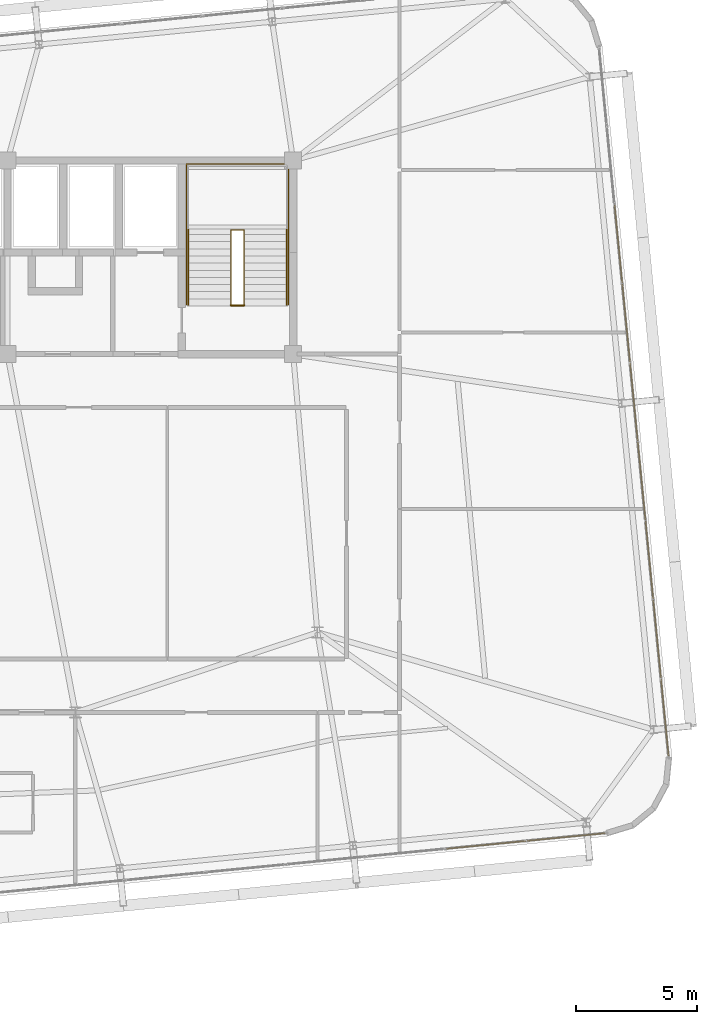
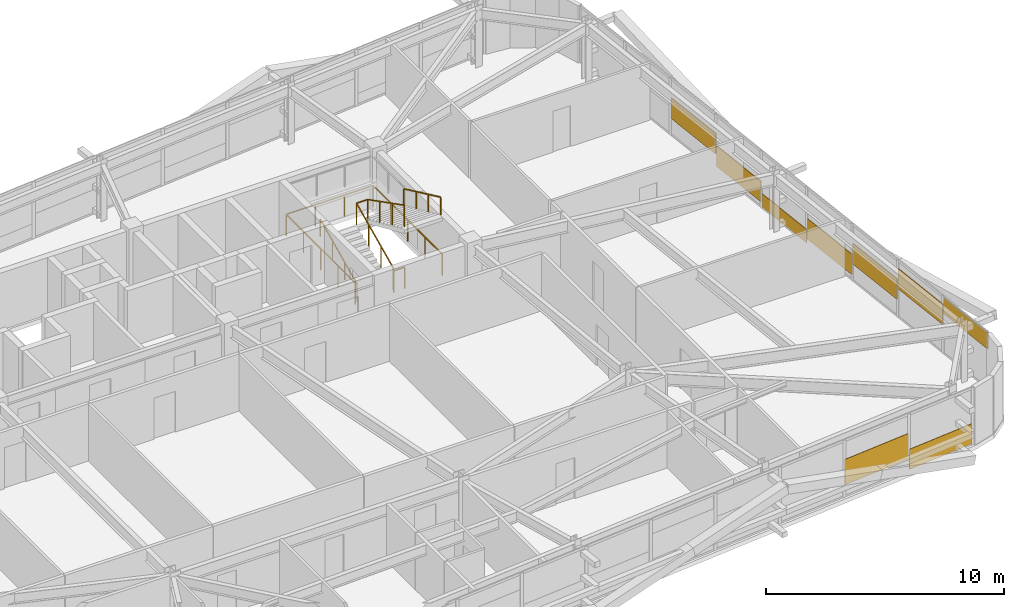
# One storey, part 51 of 52: 9 coverings, 5 railings.
"""IFC4 building model written with IfcOpenShell, lengths in metres."""

from ifc_helpers import new_model, si_unit, direction, frame, origin, origin_2d, place, context, subcontext, project, spatial, rectangle, extrude, source, transform, mapped, material, layer, layer_set, type_object, element, save


model = new_model("IFC4")

# Units and contexts
model_context = context("Model", 3, precision=1e-05, world=origin(), true_north=direction((0.0, 1.0)))
body_context = subcontext(model_context, "Body", "Model", "MODEL_VIEW")
ifc_project = project(units=[si_unit("LENGTHUNIT", "METRE"), si_unit("AREAUNIT", "SQUARE_METRE"), si_unit("VOLUMEUNIT", "CUBIC_METRE"), si_unit("PLANEANGLEUNIT", "RADIAN"), si_unit("MASSUNIT", "GRAM", prefix="KILO")], contexts=[model_context])

# Site, building, storey
site_placement = place(None, origin())
site = spatial("IfcSite", under=ifc_project, at=site_placement, CompositionType="ELEMENT")
building_placement = place(site_placement, origin())
building = spatial("IfcBuilding", under=site, at=building_placement, Name="Taldren Reach Tower", CompositionType="ELEMENT")
storey_placement = place(building_placement, frame((0.0, 0.0, 96.60009765625)))
storey = spatial("IfcBuildingStorey", under=building, at=storey_placement, Name="L29", CompositionType="ELEMENT", Elevation=96.60009765625)

# Railings
ifc_material_1 = material(Name="Steel Gr 350 (C350L0)", Category="steel")
ifc_layer_1 = layer(ifc_material_1, 0.050048828125)
ifc_layer_set_1 = layer_set([ifc_layer_1], Name="Steel Gr 350 (C350L0)")
railing_type_1 = type_object("IfcRailingType", Name="RL-STAIR-GR", PredefinedType="GUARDRAIL", material=ifc_layer_set_1)
railing_1_placement = place(storey_placement, frame((48.429931640625, 26.050048828125, 0.131103515625)))
element("IfcRailing", 1, at=railing_1_placement, inside=storey, type_object=railing_type_1, Name="Stairwell inner guard ST2-L29", PredefinedType="GUARDRAIL", context=body_context, shape_type="SweptSolid", body=[
    extrude(rectangle(XDim=0.047852, YDim=0.047852, at=origin_2d()), frame((0.0, 0.0, 1.09619140625), z_axis=(0.0, 0.905710134349, 0.423897573167), x_axis=(-1.0, 0.0, 0.0)), (0.0, 0.0, 1.0), 3.406005859375),
    extrude(rectangle(XDim=0.047852, YDim=0.047852, at=origin_2d()), frame((0.0, 3.0849609375, 2.5400390625), z_axis=(1.0, 0.0, 0.0), x_axis=(0.0, 1.0, 0.0)), (0.0, 0.0, 1.0), 0.5400390625),
    extrude(rectangle(XDim=0.047852, YDim=0.047852, at=origin_2d()), frame((0.5400390625, 3.0849609375, 2.5400390625), z_axis=(0.0, -0.890645957773, 0.45469745755), x_axis=(1.0, 0.0, 0.0)), (0.0, 0.0, 1.0), 3.463623046875),
    extrude(rectangle(XDim=0.041992, YDim=0.041992, at=origin_2d()), origin(), (0.0, 0.0, 1.0), 1.072021484375),
    extrude(rectangle(XDim=0.041992, YDim=0.041992, at=origin_2d()), frame((0.0, 1.0283203125, 0.481201171875)), (0.0, 0.0, 1.0), 1.072021484375),
    extrude(rectangle(XDim=0.041992, YDim=0.041992, at=origin_2d()), frame((0.0, 2.056640625, 0.962646484375)), (0.0, 0.0, 1.0), 1.072021484375),
    extrude(rectangle(XDim=0.041992, YDim=0.041992, at=origin_2d()), frame((0.0, 3.0849609375, 1.44384765625)), (0.0, 0.0, 1.0), 1.072021484375),
    extrude(rectangle(XDim=0.041992, YDim=0.041992, at=origin_2d()), frame((0.5400390625, 3.0849609375, 1.44384765625)), (0.0, 0.0, 1.0), 1.072021484375),
    extrude(rectangle(XDim=0.041992, YDim=0.041992, at=origin_2d()), frame((0.5400390625, 2.056640625, 1.96875)), (0.0, 0.0, 1.0), 1.072021484375),
    extrude(rectangle(XDim=0.041992, YDim=0.041992, at=origin_2d()), frame((0.5400390625, 1.0283203125, 2.493896484375)), (0.0, 0.0, 1.0), 1.072021484375),
    extrude(rectangle(XDim=0.041992, YDim=0.041992, at=origin_2d()), frame((0.5400390625, 0.0, 3.018798828125)), (0.0, 0.0, 1.0), 1.072021484375),
])
railing_2_placement = place(storey_placement, frame((48.429931640625, 26.010009765625, 0.0)))
element("IfcRailing", 2, at=railing_2_placement, inside=storey, type_object=railing_type_1, Name="Stairwell landing slot guard ST2-L29", PredefinedType="GUARDRAIL", context=body_context, shape_type="SweptSolid", body=[
    extrude(rectangle(XDim=0.047852, YDim=0.047852, at=origin_2d()), frame((0.0, 0.0, 1.09619140625), z_axis=(1.0, 0.0, 0.0), x_axis=(0.0, 1.0, 0.0)), (0.0, 0.0, 1.0), 0.5400390625),
    extrude(rectangle(XDim=0.041992, YDim=0.041992, at=origin_2d()), origin(), (0.0, 0.0, 1.0), 1.072021484375),
    extrude(rectangle(XDim=0.041992, YDim=0.041992, at=origin_2d()), frame((0.5400390625, 0.0, 0.0)), (0.0, 0.0, 1.0), 1.072021484375),
])
railing_3_placement = place(storey_placement, frame((46.590087890625, 26.050048828125, 0.0)))
element("IfcRailing", 3, at=railing_3_placement, inside=storey, type_object=railing_type_1, Name="Stairwell floor opening guard ST2-L29", PredefinedType="GUARDRAIL", context=body_context, shape_type="SweptSolid", body=[
    extrude(rectangle(XDim=0.047852, YDim=0.047852, at=origin_2d()), frame((0.0, 0.0, 1.09619140625), z_axis=(0.0, 1.0, 0.0), x_axis=(-1.0, 0.0, 0.0)), (0.0, 0.0, 1.0), 5.800048828125),
    extrude(rectangle(XDim=0.047852, YDim=0.047852, at=origin_2d()), frame((0.0, 5.800048828125, 1.09619140625), z_axis=(1.0, 0.0, 0.0), x_axis=(0.0, 1.0, 0.0)), (0.0, 0.0, 1.0), 4.219970703125),
    extrude(rectangle(XDim=0.047852, YDim=0.047852, at=origin_2d()), frame((4.219970703125, 5.800048828125, 1.09619140625), z_axis=(0.0, -1.0, 0.0), x_axis=(1.0, 0.0, 0.0)), (0.0, 0.0, 1.0), 5.800048828125),
    extrude(rectangle(XDim=0.041992, YDim=0.041992, at=origin_2d()), origin(), (0.0, 0.0, 1.0), 1.072021484375),
    extrude(rectangle(XDim=0.041992, YDim=0.041992, at=origin_2d()), frame((0.0, 1.449951171875, 0.0)), (0.0, 0.0, 1.0), 1.072021484375),
    extrude(rectangle(XDim=0.041992, YDim=0.041992, at=origin_2d()), frame((0.0, 2.89990234375, 0.0)), (0.0, 0.0, 1.0), 1.072021484375),
    extrude(rectangle(XDim=0.041992, YDim=0.041992, at=origin_2d()), frame((0.0, 4.35009765625, 0.0)), (0.0, 0.0, 1.0), 1.072021484375),
    extrude(rectangle(XDim=0.041992, YDim=0.041992, at=origin_2d()), frame((0.0, 5.800048828125, 0.0)), (0.0, 0.0, 1.0), 1.072021484375),
    extrude(rectangle(XDim=0.041992, YDim=0.041992, at=origin_2d()), frame((1.40673828125, 5.800048828125, 0.0)), (0.0, 0.0, 1.0), 1.072021484375),
    extrude(rectangle(XDim=0.041992, YDim=0.041992, at=origin_2d()), frame((2.813232421875, 5.800048828125, 0.0)), (0.0, 0.0, 1.0), 1.072021484375),
    extrude(rectangle(XDim=0.041992, YDim=0.041992, at=origin_2d()), frame((4.219970703125, 5.800048828125, 0.0)), (0.0, 0.0, 1.0), 1.072021484375),
    extrude(rectangle(XDim=0.041992, YDim=0.041992, at=origin_2d()), frame((4.219970703125, 4.35009765625, 0.0)), (0.0, 0.0, 1.0), 1.072021484375),
    extrude(rectangle(XDim=0.041992, YDim=0.041992, at=origin_2d()), frame((4.219970703125, 2.89990234375, 0.0)), (0.0, 0.0, 1.0), 1.072021484375),
    extrude(rectangle(XDim=0.041992, YDim=0.041992, at=origin_2d()), frame((4.219970703125, 1.449951171875, 0.0)), (0.0, 0.0, 1.0), 1.072021484375),
    extrude(rectangle(XDim=0.041992, YDim=0.041992, at=origin_2d()), frame((4.219970703125, 0.0, 0.0)), (0.0, 0.0, 1.0), 1.072021484375),
])
ifc_material_2 = material(Name="Stainless Steel Gr 316", Category="steel")
ifc_layer_2 = layer(ifc_material_2, 0.048095703125)
ifc_layer_set_2 = layer_set([ifc_layer_2], Name="Stainless Steel Gr 316")
railing_type_2 = type_object("IfcRailingType", Name="RL-STAIR-HR", PredefinedType="HANDRAIL", material=ifc_layer_set_2)
railing_4_placement = place(storey_placement, frame((46.669921875, 26.050048828125, 0.131103515625)))
element("IfcRailing", 4, at=railing_4_placement, inside=storey, type_object=railing_type_2, Name="Stair flight handrail ST2-L29-1", PredefinedType="HANDRAIL", context=body_context, shape_type="SweptSolid", body=[
    extrude(rectangle(XDim=0.047852, YDim=0.047852, at=origin_2d()), frame((0.0, 0.0, 0.89599609375), z_axis=(0.0, 0.905710134349, 0.423897573167), x_axis=(-1.0, 0.0, 0.0)), (0.0, 0.0, 1.0), 3.406005859375),
    extrude(rectangle(XDim=0.041992, YDim=0.041992, at=origin_2d()), origin(), (0.0, 0.0, 1.0), 0.871826171875),
    extrude(rectangle(XDim=0.041992, YDim=0.041992, at=origin_2d()), frame((0.0, 1.0283203125, 0.481201171875)), (0.0, 0.0, 1.0), 0.871826171875),
    extrude(rectangle(XDim=0.041992, YDim=0.041992, at=origin_2d()), frame((0.0, 2.056640625, 0.962646484375)), (0.0, 0.0, 1.0), 0.871826171875),
    extrude(rectangle(XDim=0.041992, YDim=0.041992, at=origin_2d()), frame((0.0, 3.0849609375, 1.44384765625)), (0.0, 0.0, 1.0), 0.871826171875),
])
railing_5_placement = place(storey_placement, frame((50.72998046875, 29.135009765625, 1.7060546875)))
element("IfcRailing", 5, at=railing_5_placement, inside=storey, type_object=railing_type_2, Name="Stair flight handrail ST2-L29-2", PredefinedType="HANDRAIL", context=body_context, shape_type="SweptSolid", body=[
    extrude(rectangle(XDim=0.047852, YDim=0.047852, at=origin_2d()), frame((0.0, 0.0, 0.89599609375), z_axis=(0.0, -0.905710134349, 0.423897573167), x_axis=(1.0, 0.0, 0.0)), (0.0, 0.0, 1.0), 3.406005859375),
    extrude(rectangle(XDim=0.041992, YDim=0.041992, at=origin_2d()), origin(), (0.0, 0.0, 1.0), 0.871826171875),
    extrude(rectangle(XDim=0.041992, YDim=0.041992, at=origin_2d()), frame((0.0, -1.0283203125, 0.481201171875)), (0.0, 0.0, 1.0), 0.871826171875),
    extrude(rectangle(XDim=0.041992, YDim=0.041992, at=origin_2d()), frame((0.0, -2.056640625, 0.962646484375)), (0.0, 0.0, 1.0), 0.871826171875),
    extrude(rectangle(XDim=0.041992, YDim=0.041992, at=origin_2d()), frame((0.0, -3.0849609375, 1.44384765625)), (0.0, 0.0, 1.0), 0.871826171875),
])

# Coverings
ifc_material_3 = material(Name="Pale Champagne Fluoropolymer Aluminium Spandrel Cladding", Category="aluminium")
ifc_layer_3 = layer(ifc_material_3, 0.0439453125)
ifc_layer_set_3 = layer_set([ifc_layer_3], Name="Pale Champagne Fluoropolymer Aluminium Spandrel Cladding")
covering_type = type_object("IfcCoveringType", Name="CV-CLAD-044", PredefinedType="CLADDING", material=ifc_layer_set_3)
shared_shape_1 = source(origin(), body_context, "Body", "SweptSolid", [
    extrude(rectangle(XDim=3.268310546875, YDim=0.0439453125, at=origin_2d()), origin(), (0.0, 0.0, 1.0), 1.3046875),
])
covering_1_placement = place(storey_placement, frame((58.972900390625, 3.7255859375, 0.621826171875), z_axis=(0.0, 0.0, 1.0), x_axis=(0.995227390247, 0.097582999046, 0.0)))
element("IfcCovering", 6, at=covering_1_placement, inside=storey, type_object=covering_type, Name="Diagrid closure cladding strip CW-3 panel 14.1 1", PredefinedType="CLADDING", context=body_context, shape_type="MappedRepresentation", body=[
    mapped(shared_shape_1, transform((0.0, 0.0, 0.0), scale=1.0)),
])
shared_shape_2 = source(origin(), body_context, "Body", "SweptSolid", [
    extrude(rectangle(XDim=3.23583984375, YDim=0.0439453125, at=origin_2d()), origin(), (0.0, 0.0, 1.0), 1.034912109375),
])
covering_2_placement = place(storey_placement, frame((62.274169921875, 4.04931640625, 0.0546875), z_axis=(0.0, 0.0, 1.0), x_axis=(0.995227390247, 0.097582999046, 0.0)))
element("IfcCovering", 7, at=covering_2_placement, inside=storey, type_object=covering_type, Name="Diagrid closure cladding strip CW-3 panel 15.1 1", PredefinedType="CLADDING", context=body_context, shape_type="MappedRepresentation", body=[
    mapped(shared_shape_2, transform((0.0, 0.0, 0.0), scale=1.0)),
])
shared_shape_3 = source(origin(), body_context, "Body", "SweptSolid", [
    extrude(rectangle(XDim=3.18017578125, YDim=0.0439453125, at=origin_2d()), origin(), (0.0, 0.0, 1.0), 0.83056640625),
])
covering_3_placement = place(storey_placement, frame((66.35498046875, 8.986328125, 2.04443359375), z_axis=(0.0, 0.0, 1.0), x_axis=(-0.09758274098, 0.99522741555, 0.0)))
element("IfcCovering", 8, at=covering_3_placement, inside=storey, type_object=covering_type, Name="Diagrid closure cladding strip CW-3 panel 1.1 1", PredefinedType="CLADDING", context=body_context, shape_type="MappedRepresentation", body=[
    mapped(shared_shape_3, transform((0.0, 0.0, 0.0), scale=1.0)),
])
shared_shape_4 = source(origin(), body_context, "Body", "SweptSolid", [
    extrude(rectangle(XDim=3.212890625, YDim=0.0439453125, at=origin_2d()), origin(), (0.0, 0.0, 1.0), 1.053466796875),
])
for number, where, z_axis, x_axis, name in (
    (9, (66.03662109375, 12.232177734375, 1.45654296875), (0.0, 0.0, 1.0), (-0.09758274098, 0.99522741555, 0.0), "Diagrid closure cladding strip CW-3 panel 2.1 1"),
    (10, (65.716796875, 15.494384765625, 0.86865234375), (0.0, 0.0, 1.0), (-0.09758274098, 0.99522741555, 0.0), "Diagrid closure cladding strip CW-3 panel 3.1 1"),
    (11, (65.39697265625, 18.756591796875, 0.28076171875), (0.0, 0.0, 1.0), (-0.09758274098, 0.99522741555, 0.0), "Diagrid closure cladding strip CW-3 panel 4.1 1"),
    (12, (64.757080078125, 25.28076171875, 0.28076171875), (0.0, 0.0, 1.0), (-0.09758274098, 0.99522741555, 0.0), "Diagrid closure cladding strip CW-3 panel 6.1 1"),
    (13, (64.437255859375, 28.54296875, 0.86865234375), (0.0, 0.0, 1.0), (-0.09758274098, 0.99522741555, 0.0), "Diagrid closure cladding strip CW-3 panel 7.1 1"),
):
    element("IfcCovering", number, at=place(storey_placement, frame(where, z_axis=z_axis, x_axis=x_axis)), inside=storey, type_object=covering_type, Name=name, PredefinedType="CLADDING", context=body_context, shape_type="MappedRepresentation", body=[
        mapped(shared_shape_4, transform((0.0, 0.0, 0.0), scale=1.0)),
    ])
shared_shape_5 = source(origin(), body_context, "Body", "SweptSolid", [
    extrude(rectangle(XDim=3.212890625, YDim=0.0439453125, at=origin_2d()), origin(), (0.0, 0.0, 1.0), 0.691650390625),
])
covering_4_placement = place(storey_placement, frame((65.0771484375, 22.0185546875, 0.05517578125), z_axis=(0.0, 0.0, 1.0), x_axis=(-0.09758274098, 0.99522741555, 0.0)))
element("IfcCovering", 14, at=covering_4_placement, inside=storey, type_object=covering_type, Name="Diagrid closure cladding strip CW-3 panel 5.1 1", PredefinedType="CLADDING", context=body_context, shape_type="MappedRepresentation", body=[
    mapped(shared_shape_5, transform((0.0, 0.0, 0.0), scale=1.0)),
])

save(model, "model.ifc")
